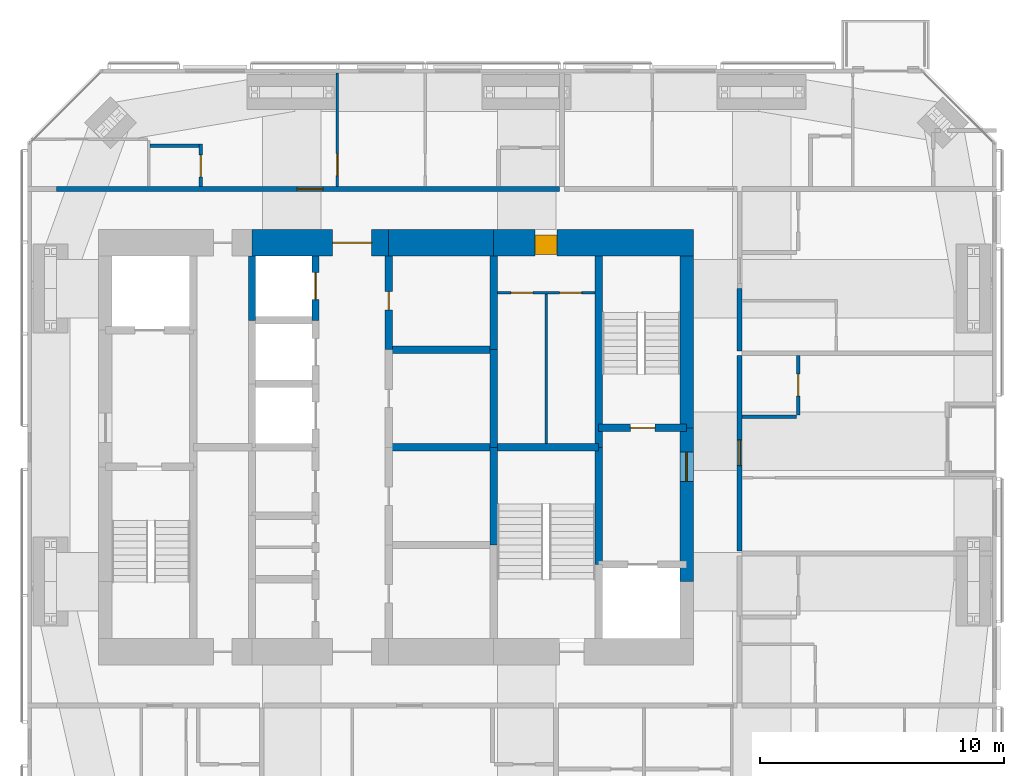
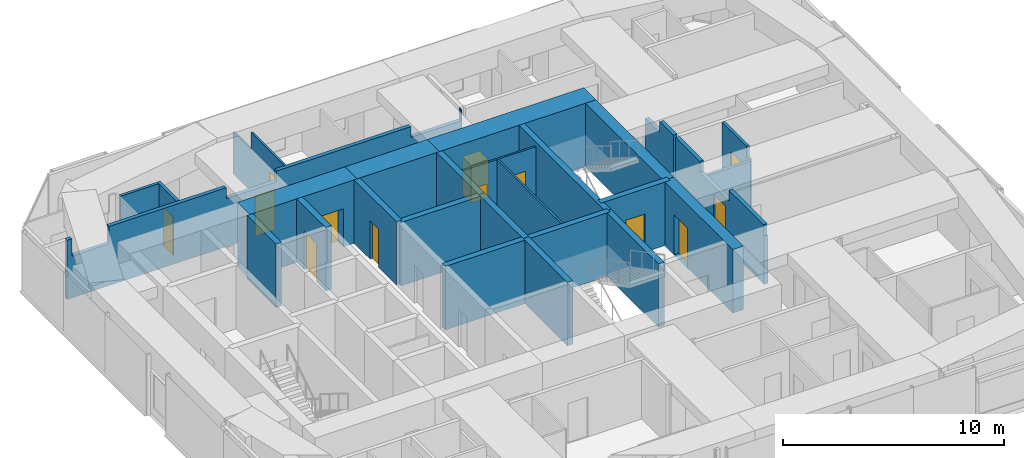
# One storey, part 16 of 19: 27 walls, 13 doors, 13 openings.
"""IFC4 building model written with IfcOpenShell, lengths in metres."""

from ifc_helpers import new_model, si_unit, direction, frame, frame_2d, origin, place, context, subcontext, project, spatial, polyline, rectangle, outline, extrude, material, layer, layer_set, constituent, constituent_set, type_object, element, fill, save


model = new_model("IFC4")

# Units and contexts
model_context = context("Model", 3, precision=1e-05, world=origin(), true_north=direction((0.0, 1.0)))
body_context = subcontext(model_context, "Body", "Model", "MODEL_VIEW")
ifc_project = project(units=[si_unit("LENGTHUNIT", "METRE"), si_unit("AREAUNIT", "SQUARE_METRE"), si_unit("VOLUMEUNIT", "CUBIC_METRE"), si_unit("PLANEANGLEUNIT", "RADIAN"), si_unit("MASSUNIT", "GRAM", prefix="KILO")], contexts=[model_context])

# Site, building, storey
site_placement = place(None, origin())
site = spatial("IfcSite", under=ifc_project, at=site_placement, CompositionType="ELEMENT")
building_placement = place(site_placement, origin())
building = spatial("IfcBuilding", under=site, at=building_placement, Name="Jalousie Tower", CompositionType="ELEMENT")
storey_placement = place(building_placement, frame((0.0, 0.0, 224.949951171875)))
storey = spatial("IfcBuildingStorey", under=building, at=storey_placement, Name="L61", CompositionType="ELEMENT", Elevation=224.949951171875)

# Wall, opening, door
ifc_material_1 = material(Name="Concrete block ASTM C90", Category="concrete")
ifc_constituent_1 = constituent(ifc_material_1, Name="Body")
ifc_material_2 = material(Name="Render")
ifc_constituent_2 = constituent(ifc_material_2, Name="Finish")
ifc_constituent_set_1 = constituent_set(constituents=[ifc_constituent_1, ifc_constituent_2])
wall_type_1 = type_object("IfcWallType", Name="BATHROOM WALL 150", PredefinedType="PLUMBINGWALL", material=ifc_constituent_set_1)
wall_1_placement = place(storey_placement, frame((48.375, 19.824951171875, 0.0), z_axis=(0.0, 0.0, 1.0), x_axis=(0.0, 1.0, 0.0)))
wall_1 = element("IfcWall", 1, at=wall_1_placement, inside=storey, type_object=wall_type_1, Name="Bathroom Wall 150 L61", PredefinedType="PLUMBINGWALL", context=body_context, shape_type="SweptSolid", body=[
    extrude(outline(polyline([(0.0, 0.0), (2.425048828125, 0.0), (2.425048828125, 3.260009765625), (0.2099609375, 3.260009765625), (0.2099609375, 2.66015625), (0.0, 2.66015625), (0.0, 3.260009765625), (0.0, 0.0)])), frame((0.0, 0.074951171875, 0.0), z_axis=(0.0, -1.0, 0.0), x_axis=(1.0, 0.0, 0.0)), (0.0, 0.0, 1.0), 0.14990234375),
])
opening_1_placement = place(wall_1_placement, frame((0.77490234375, 0.0, 0.0)))
opening_1 = element("IfcOpeningElement", 2, at=opening_1_placement, cuts=wall_1, Name="Opening D3", PredefinedType="OPENING", context=body_context, shape_type="SweptSolid", body=[
    extrude(rectangle(XDim=0.89990234375, YDim=2.10009765625, at=frame_2d((0.449951171875, 1.050048828125))), frame((0.0, 0.0849609375, 0.0), z_axis=(0.0, -1.0, 0.0), x_axis=(1.0, 0.0, 0.0)), (0.0, 0.0, 1.0), 0.169921875),
])
ifc_material_3 = material(Name="Timber door", Category="wood")
door_type_1 = type_object("IfcDoorType", Name="BATHROOM DOOR 900", OperationType="SINGLE_SWING_LEFT", PredefinedType="DOOR", material=ifc_material_3)
door_1_placement = place(opening_1_placement, origin())
door_1 = element("IfcDoor", 3, at=door_1_placement, inside=storey, type_object=door_type_1, Name="Apartment 6107 bathroom door", OperationType="SINGLE_SWING_RIGHT", OverallHeight=2.10009765625, OverallWidth=0.89990234375, PredefinedType="DOOR", context=body_context, shape_type="SweptSolid", body=[
    extrude(rectangle(XDim=0.89990234375, YDim=2.10009765625, at=frame_2d((0.449951171875, 1.050048828125))), frame((0.0, 0.02490234375, 0.0), z_axis=(0.0, -1.0, 0.0), x_axis=(1.0, 0.0, 0.0)), (0.0, 0.0, 1.0), 0.050048828125),
])
fill(opening_1, door_1)

# Wall
wall_2_placement = place(storey_placement, frame((48.300048828125, 19.75, 0.0), z_axis=(0.0, 0.0, 1.0), x_axis=(-1.0, 0.0, 0.0)))
element("IfcWall", 4, at=wall_2_placement, inside=storey, type_object=wall_type_1, Name="Bathroom Wall 150 L61", PredefinedType="PLUMBINGWALL", context=body_context, shape_type="SweptSolid", body=[
    extrude(outline(polyline([(0.0, 0.0), (2.22509765625, 0.0), (2.22509765625, 3.260009765625), (2.22509765625, 2.66015625), (0.0, 2.66015625), (0.0, 3.260009765625), (0.0, 0.0)])), frame((0.0, 0.074951171875, 0.0), z_axis=(0.0, -1.0, 0.0), x_axis=(1.0, 0.0, 0.0)), (0.0, 0.0, 1.0), 0.14990234375),
])

# Wall, opening, door
wall_3_placement = place(storey_placement, frame((23.89990234375, 29.175048828125, 0.0), z_axis=(0.0, 0.0, 1.0), x_axis=(0.0, 1.0, 0.0)))
wall_3 = element("IfcWall", 5, at=wall_3_placement, inside=storey, type_object=wall_type_1, Name="Bathroom Wall 150 L61", PredefinedType="PLUMBINGWALL", context=body_context, shape_type="SweptSolid", body=[
    extrude(rectangle(XDim=1.75, YDim=0.14990234375, at=frame_2d((0.875, 0.0))), origin(), (0.0, 0.0, 1.0), 3.260009765625),
])
opening_2_placement = place(wall_3_placement, frame((0.39990234375, 0.0, 0.0)))
opening_2 = element("IfcOpeningElement", 6, at=opening_2_placement, cuts=wall_3, Name="Opening D7", PredefinedType="OPENING", context=body_context, shape_type="SweptSolid", body=[
    extrude(rectangle(XDim=0.89990234375, YDim=2.10009765625, at=frame_2d((0.449951171875, 1.050048828125))), frame((0.0, 0.0849609375, 0.0), z_axis=(0.0, -1.0, 0.0), x_axis=(1.0, 0.0, 0.0)), (0.0, 0.0, 1.0), 0.169921875),
])
ifc_material_4 = material(Name="Timber door", Category="wood")
door_type_2 = type_object("IfcDoorType", Name="INTERNAL DOOR 900", OperationType="SINGLE_SWING_LEFT", PredefinedType="DOOR", material=ifc_material_4)
door_2_placement = place(opening_2_placement, origin())
door_2 = element("IfcDoor", 7, at=door_2_placement, inside=storey, type_object=door_type_2, Name="Apartment 6104 guest WC door", OperationType="SINGLE_SWING_RIGHT", OverallHeight=2.10009765625, OverallWidth=0.89990234375, PredefinedType="DOOR", context=body_context, shape_type="SweptSolid", body=[
    extrude(rectangle(XDim=0.89990234375, YDim=2.10009765625, at=frame_2d((0.449951171875, 1.050048828125))), frame((0.0, 0.02490234375, 0.0), z_axis=(0.0, -1.0, 0.0), x_axis=(1.0, 0.0, 0.0)), (0.0, 0.0, 1.0), 0.050048828125),
])
fill(opening_2, door_2)

# Wall
wall_4_placement = place(storey_placement, frame((21.824951171875, 30.85009765625, 0.0), z_axis=(0.0, 0.0, 1.0), x_axis=(1.0, 0.0, 0.0)))
element("IfcWall", 8, at=wall_4_placement, inside=storey, type_object=wall_type_1, Name="Bathroom Wall 150 L61", PredefinedType="PLUMBINGWALL", context=body_context, shape_type="SweptSolid", body=[
    extrude(rectangle(XDim=2.0, YDim=0.14990234375, at=frame_2d((1.0, 0.0))), origin(), (0.0, 0.0, 1.0), 3.260009765625),
])

# Wall, opening, door
ifc_material_5 = material(Name="Concrete f'c 120 MPa", Category="concrete")
ifc_layer_1 = layer(ifc_material_5, 1.10009765625)
ifc_layer_set_1 = layer_set([ifc_layer_1], Name="Concrete f'c 120 MPa")
wall_type_2 = type_object("IfcWallType", Name="CORE WALL 1100", PredefinedType="SHEAR", material=ifc_layer_set_1)
wall_5_placement = place(storey_placement, frame((44.074951171875, 26.875, 0.0), z_axis=(0.0, 0.0, 1.0), x_axis=(-1.0, 0.0, 0.0)))
wall_5 = element("IfcWall", 9, at=wall_5_placement, inside=storey, type_object=wall_type_2, Name="Core wall NA L61", PredefinedType="SHEAR", context=body_context, shape_type="SweptSolid", body=[
    extrude(rectangle(XDim=8.175048828125, YDim=1.10009765625, at=frame_2d((4.08740234375, 0.0))), origin(), (0.0, 0.0, 1.0), 3.5),
])
opening_3_placement = place(wall_5_placement, frame((5.574951171875, 0.0, 0.0)))
opening_3 = element("IfcOpeningElement", 10, at=opening_3_placement, cuts=wall_5, Name="Opening D25", PredefinedType="OPENING", context=body_context, shape_type="SweptSolid", body=[
    extrude(rectangle(XDim=0.89990234375, YDim=2.10009765625, at=frame_2d((0.449951171875, 1.050048828125))), frame((0.0, 0.56005859375, 0.0), z_axis=(0.0, -1.0, 0.0), x_axis=(1.0, 0.0, 0.0)), (0.0, 0.0, 1.0), 1.1201171875),
])
ifc_material_6 = material(Name="Steel fire door", Category="steel")
door_type_3 = type_object("IfcDoorType", Name="SERVICE LOBBY DOOR 900", OperationType="SINGLE_SWING_LEFT", PredefinedType="DOOR", material=ifc_material_6)
door_3_placement = place(opening_3_placement, origin())
door_3 = element("IfcDoor", 11, at=door_3_placement, inside=storey, type_object=door_type_3, Name="Service lobby door", OperationType="SINGLE_SWING_LEFT", OverallHeight=2.10009765625, OverallWidth=0.89990234375, PredefinedType="DOOR", context=body_context, shape_type="SweptSolid", body=[
    extrude(rectangle(XDim=0.89990234375, YDim=2.10009765625, at=frame_2d((0.449951171875, 1.050048828125))), frame((0.0, 0.47021484375, 0.0), z_axis=(0.0, -1.0, 0.0), x_axis=(1.0, 0.0, 0.0)), (0.0, 0.0, 1.0), 0.800048828125),
])
fill(opening_3, door_3)

# Wall
wall_6_placement = place(storey_placement, frame((35.89990234375, 26.875, 0.0), z_axis=(0.0, 0.0, 1.0), x_axis=(-1.0, 0.0, 0.0)))
element("IfcWall", 12, at=wall_6_placement, inside=storey, type_object=wall_type_2, Name="Core wall NB L61", PredefinedType="SHEAR", context=body_context, shape_type="SweptSolid", body=[
    extrude(rectangle(XDim=4.2998046875, YDim=1.10009765625, at=frame_2d((2.14990234375, 0.0))), origin(), (0.0, 0.0, 1.0), 3.5),
])

# Wall, opening, door
wall_7_placement = place(storey_placement, frame((31.60009765625, 26.875, 0.0), z_axis=(0.0, 0.0, 1.0), x_axis=(-1.0, 0.0, 0.0)))
wall_7 = element("IfcWall", 13, at=wall_7_placement, inside=storey, type_object=wall_type_2, Name="Core wall NC L61", PredefinedType="SHEAR", context=body_context, shape_type="SweptSolid", body=[
    extrude(rectangle(XDim=5.60009765625, YDim=1.10009765625, at=frame_2d((2.800048828125, 0.0))), origin(), (0.0, 0.0, 1.0), 3.5),
])
opening_4_placement = place(wall_7_placement, frame((0.699951171875, 0.0, 0.0)))
opening_4 = element("IfcOpeningElement", 14, at=opening_4_placement, cuts=wall_7, Name="Opening D15", PredefinedType="OPENING", context=body_context, shape_type="SweptSolid", body=[
    extrude(rectangle(XDim=1.60009765625, YDim=2.10009765625, at=frame_2d((0.800048828125, 1.050048828125))), frame((0.0, 0.56005859375, 0.0), z_axis=(0.0, -1.0, 0.0), x_axis=(1.0, 0.0, 0.0)), (0.0, 0.0, 1.0), 1.1201171875),
])
ifc_material_7 = material(Name="Steel fire door", Category="steel")
door_type_4 = type_object("IfcDoorType", Name="LIFT LOBBY DOOR 1600", OperationType="DOUBLE_DOOR_SINGLE_SWING", PredefinedType="DOOR", material=ifc_material_7)
door_4_placement = place(opening_4_placement, origin())
door_4 = element("IfcDoor", 15, at=door_4_placement, inside=storey, type_object=door_type_4, Name="Lift lobby north door", OperationType="DOUBLE_DOOR_SINGLE_SWING", OverallHeight=2.10009765625, OverallWidth=1.60009765625, PredefinedType="DOOR", context=body_context, shape_type="SweptSolid", body=[
    extrude(rectangle(XDim=1.60009765625, YDim=2.10009765625, at=frame_2d((0.800048828125, 1.050048828125))), frame((0.0, 0.02490234375, 0.0), z_axis=(0.0, -1.0, 0.0), x_axis=(1.0, 0.0, 0.0)), (0.0, 0.0, 1.0), 0.050048828125),
])
fill(opening_4, door_4)

# Wall
ifc_material_8 = material(Name="Concrete f'c 120 MPa", Category="concrete")
ifc_layer_2 = layer(ifc_material_8, 0.300048828125)
ifc_layer_set_2 = layer_set([ifc_layer_2], Name="Concrete f'c 120 MPa")
wall_type_3 = type_object("IfcWallType", Name="CORE WALL 300", PredefinedType="SHEAR", material=ifc_layer_set_2)
wall_8_placement = place(storey_placement, frame((26.0, 23.699951171875, 0.0), z_axis=(0.0, 0.0, 1.0), x_axis=(0.0, 1.0, 0.0)))
element("IfcWall", 16, at=wall_8_placement, inside=storey, type_object=wall_type_3, Name="Core wall X26F L61", PredefinedType="SHEAR", context=body_context, shape_type="SweptSolid", body=[
    extrude(rectangle(XDim=2.625, YDim=0.300048828125, at=frame_2d((1.3125, 0.0))), origin(), (0.0, 0.0, 1.0), 3.5),
])

# Wall, opening, door
wall_9_placement = place(storey_placement, frame((28.60009765625, 23.699951171875, 0.0), z_axis=(0.0, 0.0, 1.0), x_axis=(0.0, 1.0, 0.0)))
wall_9 = element("IfcWall", 17, at=wall_9_placement, inside=storey, type_object=wall_type_3, Name="Core wall X28.6F L61", PredefinedType="SHEAR", context=body_context, shape_type="SweptSolid", body=[
    extrude(rectangle(XDim=2.625, YDim=0.300048828125, at=frame_2d((1.3125, 0.0))), origin(), (0.0, 0.0, 1.0), 3.5),
])
opening_5_placement = place(wall_9_placement, frame((0.85009765625, 0.0, 0.0)))
opening_5 = element("IfcOpeningElement", 18, at=opening_5_placement, cuts=wall_9, Name="Opening LD1", PredefinedType="OPENING", context=body_context, shape_type="SweptSolid", body=[
    extrude(rectangle(XDim=1.10009765625, YDim=2.10009765625, at=frame_2d((0.550048828125, 1.050048828125))), frame((0.0, 0.159912109375, 0.0), z_axis=(0.0, -1.0, 0.0), x_axis=(1.0, 0.0, 0.0)), (0.0, 0.0, 1.0), 0.320068359375),
])
ifc_material_9 = material(Name="Steel lift landing door", Category="steel")
door_type_5 = type_object("IfcDoorType", Name="LIFT LANDING DOOR 1100", OperationType="SLIDING_TO_LEFT", PredefinedType="DOOR", material=ifc_material_9)
door_5_placement = place(opening_5_placement, origin())
door_5 = element("IfcDoor", 19, at=door_5_placement, inside=storey, type_object=door_type_5, Name="Lift P6 landing door", OperationType="SLIDING_TO_LEFT", OverallHeight=2.10009765625, OverallWidth=1.10009765625, PredefinedType="DOOR", context=body_context, shape_type="SweptSolid", body=[
    extrude(rectangle(XDim=1.10009765625, YDim=2.10009765625, at=frame_2d((0.550048828125, 1.050048828125))), frame((0.0, 0.02490234375, 0.0), z_axis=(0.0, -1.0, 0.0), x_axis=(1.0, 0.0, 0.0)), (0.0, 0.0, 1.0), 0.050048828125),
])
fill(opening_5, door_5)

wall_10_placement = place(storey_placement, frame((31.60009765625, 22.5, 0.0), z_axis=(0.0, 0.0, 1.0), x_axis=(0.0, 1.0, 0.0)))
wall_10 = element("IfcWall", 20, at=wall_10_placement, inside=storey, type_object=wall_type_3, Name="Core wall X31.6D L61", PredefinedType="SHEAR", context=body_context, shape_type="SweptSolid", body=[
    extrude(rectangle(XDim=3.824951171875, YDim=0.300048828125, at=frame_2d((1.91259765625, 0.0))), origin(), (0.0, 0.0, 1.0), 3.5),
])
opening_6_placement = place(wall_10_placement, frame((1.625, 0.0, 0.0)))
opening_6 = element("IfcOpeningElement", 21, at=opening_6_placement, cuts=wall_10, Name="Opening D16", PredefinedType="OPENING", context=body_context, shape_type="SweptSolid", body=[
    extrude(rectangle(XDim=0.75, YDim=2.10009765625, at=frame_2d((0.375, 1.050048828125))), frame((0.0, 0.159912109375, 0.0), z_axis=(0.0, -1.0, 0.0), x_axis=(1.0, 0.0, 0.0)), (0.0, 0.0, 1.0), 0.320068359375),
])
ifc_material_10 = material(Name="Steel fire door", Category="steel")
door_type_6 = type_object("IfcDoorType", Name="RISER DOOR 750", OperationType="SINGLE_SWING_LEFT", PredefinedType="DOOR", material=ifc_material_10)
door_6_placement = place(opening_6_placement, frame((0.75, 0.0, 0.0), z_axis=(0.0, 0.0, 1.0), x_axis=(-1.0, 0.0, 0.0)))
door_6 = element("IfcDoor", 22, at=door_6_placement, inside=storey, type_object=door_type_6, Name="Water Services Room door", OperationType="SINGLE_SWING_LEFT", OverallHeight=2.10009765625, OverallWidth=0.75, PredefinedType="DOOR", context=body_context, shape_type="SweptSolid", body=[
    extrude(rectangle(XDim=0.75, YDim=2.10009765625, at=frame_2d((0.375, 1.050048828125))), frame((0.0, 0.02490234375, 0.0), z_axis=(0.0, -1.0, 0.0), x_axis=(1.0, 0.0, 0.0)), (0.0, 0.0, 1.0), 0.050048828125),
])
fill(opening_6, door_6)

# Walls
for number, where, z_axis, x_axis, name in (
    (23, (35.89990234375, 14.5, 0.0), (0.0, 0.0, 1.0), (0.0, 1.0, 0.0), "Core wall X35.9B L61"),
    (24, (35.89990234375, 18.5, 0.0), (0.0, 0.0, 1.0), (0.0, 1.0, 0.0), "Core wall X35.9C L61"),
):
    element("IfcWall", number, at=place(storey_placement, frame(where, z_axis=z_axis, x_axis=x_axis)), inside=storey, type_object=wall_type_3, Name=name, PredefinedType="SHEAR", context=body_context, shape_type="SweptSolid", body=[
        extrude(rectangle(XDim=4.0, YDim=0.300048828125, at=frame_2d((2.0, 0.0))), origin(), (0.0, 0.0, 1.0), 3.5),
    ])
wall_11_placement = place(storey_placement, frame((35.89990234375, 22.5, 0.0), z_axis=(0.0, 0.0, 1.0), x_axis=(0.0, 1.0, 0.0)))
element("IfcWall", 25, at=wall_11_placement, inside=storey, type_object=wall_type_3, Name="Core wall X35.9D L61", PredefinedType="SHEAR", context=body_context, shape_type="SweptSolid", body=[
    extrude(rectangle(XDim=3.824951171875, YDim=0.300048828125, at=frame_2d((1.91259765625, 0.0))), origin(), (0.0, 0.0, 1.0), 3.5),
])
wall_12_placement = place(storey_placement, frame((40.199951171875, 13.699951171875, 0.0), z_axis=(0.0, 0.0, 1.0), x_axis=(0.0, 1.0, 0.0)))
element("IfcWall", 26, at=wall_12_placement, inside=storey, type_object=wall_type_3, Name="Core wall X40.2B L61", PredefinedType="SHEAR", context=body_context, shape_type="SweptSolid", body=[
    extrude(rectangle(XDim=4.800048828125, YDim=0.300048828125, at=frame_2d((2.39990234375, 0.0))), origin(), (0.0, 0.0, 1.0), 3.5),
])
wall_13_placement = place(storey_placement, frame((40.199951171875, 18.5, 0.0), z_axis=(0.0, 0.0, 1.0), x_axis=(0.0, 1.0, 0.0)))
element("IfcWall", 27, at=wall_13_placement, inside=storey, type_object=wall_type_3, Name="Core wall X40.2C L61", PredefinedType="SHEAR", context=body_context, shape_type="SweptSolid", body=[
    extrude(rectangle(XDim=7.824951171875, YDim=0.300048828125, at=frame_2d((3.91259765625, 0.0))), origin(), (0.0, 0.0, 1.0), 3.5),
])
for number, where, z_axis, x_axis, name in (
    (28, (31.60009765625, 18.5, 0.0), (0.0, 0.0, 1.0), (1.0, 0.0, 0.0), "Core wall Y31.6-18.5 L61"),
    (29, (31.60009765625, 22.5, 0.0), (0.0, 0.0, 1.0), (1.0, 0.0, 0.0), "Core wall Y31.6-22.5 L61"),
):
    element("IfcWall", number, at=place(storey_placement, frame(where, z_axis=z_axis, x_axis=x_axis)), inside=storey, type_object=wall_type_3, Name=name, PredefinedType="SHEAR", context=body_context, shape_type="SweptSolid", body=[
        extrude(rectangle(XDim=4.2998046875, YDim=0.300048828125, at=frame_2d((2.14990234375, 0.0))), origin(), (0.0, 0.0, 1.0), 3.5),
    ])
wall_14_placement = place(storey_placement, frame((35.89990234375, 18.5, 0.0), z_axis=(0.0, 0.0, 1.0), x_axis=(1.0, 0.0, 0.0)))
element("IfcWall", 30, at=wall_14_placement, inside=storey, type_object=wall_type_3, Name="Core wall Y35.9-18.5 L61", PredefinedType="SHEAR", context=body_context, shape_type="SweptSolid", body=[
    extrude(rectangle(XDim=4.300048828125, YDim=0.300048828125, at=frame_2d((2.14990234375, 0.0))), origin(), (0.0, 0.0, 1.0), 3.5),
])

# Wall, opening, door
wall_15_placement = place(storey_placement, frame((40.199951171875, 19.300048828125, 0.0), z_axis=(0.0, 0.0, 1.0), x_axis=(1.0, 0.0, 0.0)))
wall_15 = element("IfcWall", 31, at=wall_15_placement, inside=storey, type_object=wall_type_3, Name="Core wall Y40.2-19.3 L61", PredefinedType="SHEAR", context=body_context, shape_type="SweptSolid", body=[
    extrude(rectangle(XDim=3.60009765625, YDim=0.300048828125, at=frame_2d((1.800048828125, 0.0))), origin(), (0.0, 0.0, 1.0), 3.5),
])
opening_7_placement = place(wall_15_placement, frame((1.300048828125, 0.0, 0.0)))
opening_7 = element("IfcOpeningElement", 32, at=opening_7_placement, cuts=wall_15, Name="Opening D10", PredefinedType="OPENING", context=body_context, shape_type="SweptSolid", body=[
    extrude(rectangle(XDim=1.0, YDim=2.10009765625, at=frame_2d((0.5, 1.050048828125))), frame((0.0, 0.159912109375, 0.0), z_axis=(0.0, -1.0, 0.0), x_axis=(1.0, 0.0, 0.0)), (0.0, 0.0, 1.0), 0.320068359375),
])
ifc_material_11 = material(Name="Steel fire door", Category="steel")
door_type_7 = type_object("IfcDoorType", Name="STAIR DOOR 1000", OperationType="SINGLE_SWING_LEFT", PredefinedType="DOOR", material=ifc_material_11)
door_7_placement = place(opening_7_placement, origin())
door_7 = element("IfcDoor", 33, at=door_7_placement, inside=storey, type_object=door_type_7, Name="Exit stair B door", OperationType="SINGLE_SWING_RIGHT", OverallHeight=2.10009765625, OverallWidth=1.0, PredefinedType="DOOR", context=body_context, shape_type="SweptSolid", body=[
    extrude(rectangle(XDim=1.0, YDim=2.10009765625, at=frame_2d((0.5, 1.050048828125))), frame((0.0, 0.02490234375, 0.0), z_axis=(0.0, -1.0, 0.0), x_axis=(1.0, 0.0, 0.0)), (0.0, 0.0, 1.0), 0.050048828125),
])
fill(opening_7, door_7)

ifc_material_12 = material(Name="Concrete f'c 120 MPa", Category="concrete")
ifc_layer_3 = layer(ifc_material_12, 0.550048828125)
ifc_layer_set_3 = layer_set([ifc_layer_3], Name="Concrete f'c 120 MPa")
wall_type_4 = type_object("IfcWallType", Name="CORE WALL 550", PredefinedType="SHEAR", material=ifc_layer_set_3)
wall_16_placement = place(storey_placement, frame((43.800048828125, 13.0, 0.0), z_axis=(0.0, 0.0, 1.0), x_axis=(0.0, 1.0, 0.0)))
wall_16 = element("IfcWall", 34, at=wall_16_placement, inside=storey, type_object=wall_type_4, Name="Core wall EB L61", PredefinedType="SHEAR", context=body_context, shape_type="SweptSolid", body=[
    extrude(rectangle(XDim=6.300048828125, YDim=0.550048828125, at=frame_2d((3.14990234375, 0.0))), origin(), (0.0, 0.0, 1.0), 3.5),
])
opening_8_placement = place(wall_16_placement, frame((4.10009765625, 0.0, 0.0)))
opening_8 = element("IfcOpeningElement", 35, at=opening_8_placement, cuts=wall_16, Name="Opening D11", PredefinedType="OPENING", context=body_context, shape_type="SweptSolid", body=[
    extrude(rectangle(XDim=1.199951171875, YDim=2.199951171875, at=frame_2d((0.60009765625, 1.10009765625))), frame((0.0, 0.284912109375, 0.0), z_axis=(0.0, -1.0, 0.0), x_axis=(1.0, 0.0, 0.0)), (0.0, 0.0, 1.0), 0.570068359375),
])
ifc_material_13 = material(Name="Steel fire door", Category="steel")
door_type_8 = type_object("IfcDoorType", Name="FIRE DOOR 1200", OperationType="SINGLE_SWING_LEFT", PredefinedType="DOOR", material=ifc_material_13)
door_8_placement = place(opening_8_placement, origin())
door_8 = element("IfcDoor", 36, at=door_8_placement, inside=storey, type_object=door_type_8, Name="Fire-fighting lobby B door", OperationType="SINGLE_SWING_RIGHT", OverallHeight=2.199951171875, OverallWidth=1.199951171875, PredefinedType="DOOR", context=body_context, shape_type="SweptSolid", body=[
    extrude(rectangle(XDim=1.199951171875, YDim=2.199951171875, at=frame_2d((0.60009765625, 1.10009765625))), frame((0.0, 0.02490234375, 0.0), z_axis=(0.0, -1.0, 0.0), x_axis=(1.0, 0.0, 0.0)), (0.0, 0.0, 1.0), 0.050048828125),
])
fill(opening_8, door_8)

# Wall
wall_17_placement = place(storey_placement, frame((43.800048828125, 19.300048828125, 0.0), z_axis=(0.0, 0.0, 1.0), x_axis=(0.0, 1.0, 0.0)))
element("IfcWall", 37, at=wall_17_placement, inside=storey, type_object=wall_type_4, Name="Core wall EC L61", PredefinedType="SHEAR", context=body_context, shape_type="SweptSolid", body=[
    extrude(rectangle(XDim=7.02490234375, YDim=0.550048828125, at=frame_2d((3.512451171875, 0.0))), origin(), (0.0, 0.0, 1.0), 3.5),
])

# Wall, opening, door
ifc_material_14 = material(Name="Concrete block ASTM C90", Category="concrete")
ifc_constituent_3 = constituent(ifc_material_14, Name="Body")
ifc_material_15 = material(Name="Render")
ifc_constituent_4 = constituent(ifc_material_15, Name="Finish")
ifc_constituent_set_2 = constituent_set(constituents=[ifc_constituent_3, ifc_constituent_4])
wall_type_5 = type_object("IfcWallType", Name="CORRIDOR WALL 200", PredefinedType="PARTITIONING", material=ifc_constituent_set_2)
wall_18_placement = place(storey_placement, frame((18.0, 29.074951171875, 0.0), z_axis=(0.0, 0.0, 1.0), x_axis=(1.0, 0.0, 0.0)))
wall_18 = element("IfcWall", 38, at=wall_18_placement, inside=storey, type_object=wall_type_5, Name="Corridor Wall 200 L61", PredefinedType="PARTITIONING", context=body_context, shape_type="SweptSolid", body=[
    extrude(outline(polyline([(0.0, 0.0), (20.60009765625, 0.0), (20.60009765625, 3.260009765625), (20.56005859375, 3.260009765625), (20.56005859375, 2.66015625), (17.93994140625, 2.66015625), (17.93994140625, 3.260009765625), (10.93505859375, 3.260009765625), (10.93505859375, 2.66015625), (8.31494140625, 2.66015625), (8.31494140625, 3.260009765625), (2.191650390625, 3.260009765625), (2.191650390625, 2.300048828125), (0.25634765625, 2.300048828125), (0.25634765625, 3.260009765625), (0.0, 3.260009765625), (0.0, 0.0)])), frame((0.0, 0.10009765625, 0.0), z_axis=(0.0, -1.0, 0.0), x_axis=(1.0, 0.0, 0.0)), (0.0, 0.0, 1.0), 0.199951171875),
])
opening_9_placement = place(wall_18_placement, frame((9.85009765625, 0.0, 0.0)))
opening_9 = element("IfcOpeningElement", 39, at=opening_9_placement, cuts=wall_18, Name="Opening D1", PredefinedType="OPENING", context=body_context, shape_type="SweptSolid", body=[
    extrude(rectangle(XDim=1.050048828125, YDim=2.199951171875, at=frame_2d((0.52490234375, 1.10009765625))), frame((0.0, 0.10986328125, 0.0), z_axis=(0.0, -1.0, 0.0), x_axis=(1.0, 0.0, 0.0)), (0.0, 0.0, 1.0), 0.219970703125),
])
ifc_material_16 = material(Name="Timber fire door", Category="wood")
door_type_9 = type_object("IfcDoorType", Name="APARTMENT ENTRANCE DOOR 1050", OperationType="SINGLE_SWING_LEFT", PredefinedType="DOOR", material=ifc_material_16)
door_9_placement = place(opening_9_placement, origin())
door_9 = element("IfcDoor", 40, at=door_9_placement, inside=storey, type_object=door_type_9, Name="Apartment 6104 entrance", OperationType="SINGLE_SWING_RIGHT", OverallHeight=2.199951171875, OverallWidth=1.050048828125, PredefinedType="DOOR", context=body_context, shape_type="SweptSolid", body=[
    extrude(rectangle(XDim=1.050048828125, YDim=2.199951171875, at=frame_2d((0.52490234375, 1.10009765625))), frame((0.0, 0.02490234375, 0.0), z_axis=(0.0, -1.0, 0.0), x_axis=(1.0, 0.0, 0.0)), (0.0, 0.0, 1.0), 0.050048828125),
])
fill(opening_9, door_9)

wall_19_placement = place(storey_placement, frame((45.97509765625, 14.25, 0.0), z_axis=(0.0, 0.0, 1.0), x_axis=(0.0, 1.0, 0.0)))
wall_19 = element("IfcWall", 41, at=wall_19_placement, inside=storey, type_object=wall_type_5, Name="Corridor Wall 200 L61", PredefinedType="PARTITIONING", context=body_context, shape_type="SweptSolid", body=[
    extrude(outline(polyline([(0.0, 0.0), (8.0, 0.0), (8.0, 3.260009765625), (5.81005859375, 3.260009765625), (5.81005859375, 2.66015625), (3.18994140625, 2.66015625), (3.18994140625, 3.260009765625), (0.06005859375, 3.260009765625), (0.06005859375, 2.66015625), (0.0, 2.66015625), (0.0, 3.260009765625), (0.0, 0.0)])), frame((0.0, 0.10009765625, 0.0), z_axis=(0.0, -1.0, 0.0), x_axis=(1.0, 0.0, 0.0)), (0.0, 0.0, 1.0), 0.199951171875),
])
opening_10_placement = place(wall_19_placement, frame((3.5, 0.0, 0.0)))
opening_10 = element("IfcOpeningElement", 42, at=opening_10_placement, cuts=wall_19, Name="Opening D1", PredefinedType="OPENING", context=body_context, shape_type="SweptSolid", body=[
    extrude(rectangle(XDim=1.050048828125, YDim=2.199951171875, at=frame_2d((0.52490234375, 1.10009765625))), frame((0.0, 0.10986328125, 0.0), z_axis=(0.0, -1.0, 0.0), x_axis=(1.0, 0.0, 0.0)), (0.0, 0.0, 1.0), 0.219970703125),
])
door_10_placement = place(opening_10_placement, frame((1.050048828125, 0.0, 0.0), z_axis=(0.0, 0.0, 1.0), x_axis=(-1.0, 0.0, 0.0)))
door_10 = element("IfcDoor", 43, at=door_10_placement, inside=storey, type_object=door_type_9, Name="Apartment 6107 entrance", OperationType="SINGLE_SWING_RIGHT", OverallHeight=2.199951171875, OverallWidth=1.050048828125, PredefinedType="DOOR", context=body_context, shape_type="SweptSolid", body=[
    extrude(rectangle(XDim=1.050048828125, YDim=2.199951171875, at=frame_2d((0.52490234375, 1.10009765625))), frame((0.0, 0.02490234375, 0.0), z_axis=(0.0, -1.0, 0.0), x_axis=(1.0, 0.0, 0.0)), (0.0, 0.0, 1.0), 0.050048828125),
])
fill(opening_10, door_10)

# Wall
wall_20_placement = place(storey_placement, frame((45.97509765625, 22.449951171875, 0.0), z_axis=(0.0, 0.0, 1.0), x_axis=(0.0, 1.0, 0.0)))
element("IfcWall", 44, at=wall_20_placement, inside=storey, type_object=wall_type_5, Name="Corridor Wall 200 L61-A", PredefinedType="PARTITIONING", context=body_context, shape_type="SweptSolid", body=[
    extrude(outline(polyline([(0.0, 0.0), (2.550048828125, 0.0), (2.550048828125, 2.66015625), (1.239990234375, 2.66015625), (1.239990234375, 3.260009765625), (0.0, 3.260009765625), (0.0, 0.0)])), frame((0.0, 0.10009765625, 0.0), z_axis=(0.0, -1.0, 0.0), x_axis=(1.0, 0.0, 0.0)), (0.0, 0.0, 1.0), 0.199951171875),
])

# Wall, opening, door
ifc_material_17 = material(Name="Gypsum board", Category="gypsum")
ifc_constituent_5 = constituent(ifc_material_17, Name="Body")
ifc_material_18 = material(Name="Light-gauge steel studs ASTM A653 SS Grade 33", Category="steel")
ifc_constituent_6 = constituent(ifc_material_18, Name="Framing")
ifc_constituent_set_3 = constituent_set(constituents=[ifc_constituent_5, ifc_constituent_6])
wall_type_6 = type_object("IfcWallType", Name="PARTITION 100", PredefinedType="PARTITIONING", material=ifc_constituent_set_3)
wall_21_placement = place(storey_placement, frame((29.5, 33.824951171875, 0.0), z_axis=(0.0, 0.0, 1.0), x_axis=(0.0, -1.0, 0.0)))
wall_21 = element("IfcWall", 45, at=wall_21_placement, inside=storey, type_object=wall_type_6, Name="Partition 100 L61", PredefinedType="PARTITIONING", context=body_context, shape_type="SweptSolid", body=[
    extrude(outline(polyline([(0.0, 0.0), (4.64990234375, 0.0), (4.64990234375, 3.260009765625), (1.635009765625, 3.260009765625), (1.635009765625, 2.300048828125), (0.0, 2.300048828125), (0.0, 3.260009765625), (0.0, 0.0)])), frame((0.0, 0.050048828125, 0.0), z_axis=(0.0, -1.0, 0.0), x_axis=(1.0, 0.0, 0.0)), (0.0, 0.0, 1.0), 0.10009765625),
])
opening_11_placement = place(wall_21_placement, frame((3.300048828125, 0.0, 0.0)))
opening_11 = element("IfcOpeningElement", 46, at=opening_11_placement, cuts=wall_21, Name="Opening D2", PredefinedType="OPENING", context=body_context, shape_type="SweptSolid", body=[
    extrude(rectangle(XDim=0.89990234375, YDim=2.10009765625, at=frame_2d((0.449951171875, 1.050048828125))), frame((0.0, 0.06005859375, 0.0), z_axis=(0.0, -1.0, 0.0), x_axis=(1.0, 0.0, 0.0)), (0.0, 0.0, 1.0), 0.1201171875),
])
ifc_material_19 = material(Name="Timber door", Category="wood")
door_type_10 = type_object("IfcDoorType", Name="BEDROOM DOOR 900", OperationType="SINGLE_SWING_LEFT", PredefinedType="DOOR", material=ifc_material_19)
door_11_placement = place(opening_11_placement, origin())
door_11 = element("IfcDoor", 47, at=door_11_placement, inside=storey, type_object=door_type_10, Name="Apartment 6104 bedroom 2 door", OperationType="SINGLE_SWING_RIGHT", OverallHeight=2.10009765625, OverallWidth=0.89990234375, PredefinedType="DOOR", context=body_context, shape_type="SweptSolid", body=[
    extrude(rectangle(XDim=0.89990234375, YDim=2.10009765625, at=frame_2d((0.449951171875, 1.050048828125))), frame((0.0, 0.02490234375, 0.0), z_axis=(0.0, -1.0, 0.0), x_axis=(1.0, 0.0, 0.0)), (0.0, 0.0, 1.0), 0.050048828125),
])
fill(opening_11, door_11)

# Wall, openings, doors
wall_22_placement = place(storey_placement, frame((36.050048828125, 24.824951171875, 0.0), z_axis=(0.0, 0.0, 1.0), x_axis=(1.0, 0.0, 0.0)))
wall_22 = element("IfcWall", 48, at=wall_22_placement, inside=storey, type_object=wall_type_6, Name="Partition 100 L61", PredefinedType="PARTITIONING", context=body_context, shape_type="SweptSolid", body=[
    extrude(rectangle(XDim=4.0, YDim=0.10009765625, at=frame_2d((2.0, 0.0))), origin(), (0.0, 0.0, 1.0), 3.260009765625),
])
opening_12_placement = place(wall_22_placement, frame((0.550048828125, 0.0, 0.0)))
opening_12 = element("IfcOpeningElement", 49, at=opening_12_placement, cuts=wall_22, Name="Opening D7", PredefinedType="OPENING", context=body_context, shape_type="SweptSolid", body=[
    extrude(rectangle(XDim=0.89990234375, YDim=2.10009765625, at=frame_2d((0.449951171875, 1.050048828125))), frame((0.0, 0.06005859375, 0.0), z_axis=(0.0, -1.0, 0.0), x_axis=(1.0, 0.0, 0.0)), (0.0, 0.0, 1.0), 0.1201171875),
])
opening_13_placement = place(wall_22_placement, frame((2.550048828125, 0.0, 0.0)))
opening_13 = element("IfcOpeningElement", 50, at=opening_13_placement, cuts=wall_22, Name="Opening D7", PredefinedType="OPENING", context=body_context, shape_type="SweptSolid", body=[
    extrude(rectangle(XDim=0.89990234375, YDim=2.10009765625, at=frame_2d((0.449951171875, 1.050048828125))), frame((0.0, 0.06005859375, 0.0), z_axis=(0.0, -1.0, 0.0), x_axis=(1.0, 0.0, 0.0)), (0.0, 0.0, 1.0), 0.1201171875),
])
door_12_placement = place(opening_12_placement, frame((0.89990234375, 0.0, 0.0), z_axis=(0.0, 0.0, 1.0), x_axis=(-1.0, 0.0, 0.0)))
door_12 = element("IfcDoor", 51, at=door_12_placement, inside=storey, type_object=door_type_2, Name="Cleaner's store door", OperationType="SINGLE_SWING_LEFT", OverallHeight=2.10009765625, OverallWidth=0.89990234375, PredefinedType="DOOR", context=body_context, shape_type="SweptSolid", body=[
    extrude(rectangle(XDim=0.89990234375, YDim=2.10009765625, at=frame_2d((0.449951171875, 1.050048828125))), frame((0.0, 0.02490234375, 0.0), z_axis=(0.0, -1.0, 0.0), x_axis=(1.0, 0.0, 0.0)), (0.0, 0.0, 1.0), 0.050048828125),
])
fill(opening_12, door_12)
door_13_placement = place(opening_13_placement, frame((0.89990234375, 0.0, 0.0), z_axis=(0.0, 0.0, 1.0), x_axis=(-1.0, 0.0, 0.0)))
door_13 = element("IfcDoor", 52, at=door_13_placement, inside=storey, type_object=door_type_2, Name="Linen store door", OperationType="SINGLE_SWING_RIGHT", OverallHeight=2.10009765625, OverallWidth=0.89990234375, PredefinedType="DOOR", context=body_context, shape_type="SweptSolid", body=[
    extrude(rectangle(XDim=0.89990234375, YDim=2.10009765625, at=frame_2d((0.449951171875, 1.050048828125))), frame((0.0, 0.02490234375, 0.0), z_axis=(0.0, -1.0, 0.0), x_axis=(1.0, 0.0, 0.0)), (0.0, 0.0, 1.0), 0.050048828125),
])
fill(opening_13, door_13)

# Wall
wall_23_placement = place(storey_placement, frame((38.050048828125, 18.64990234375, 0.0), z_axis=(0.0, 0.0, 1.0), x_axis=(0.0, 1.0, 0.0)))
element("IfcWall", 53, at=wall_23_placement, inside=storey, type_object=wall_type_6, Name="Partition 100 L61", PredefinedType="PARTITIONING", context=body_context, shape_type="SweptSolid", body=[
    extrude(rectangle(XDim=6.125, YDim=0.10009765625, at=frame_2d((3.0625, 0.0))), origin(), (0.0, 0.0, 1.0), 3.260009765625),
])

save(model, "model.ifc")
